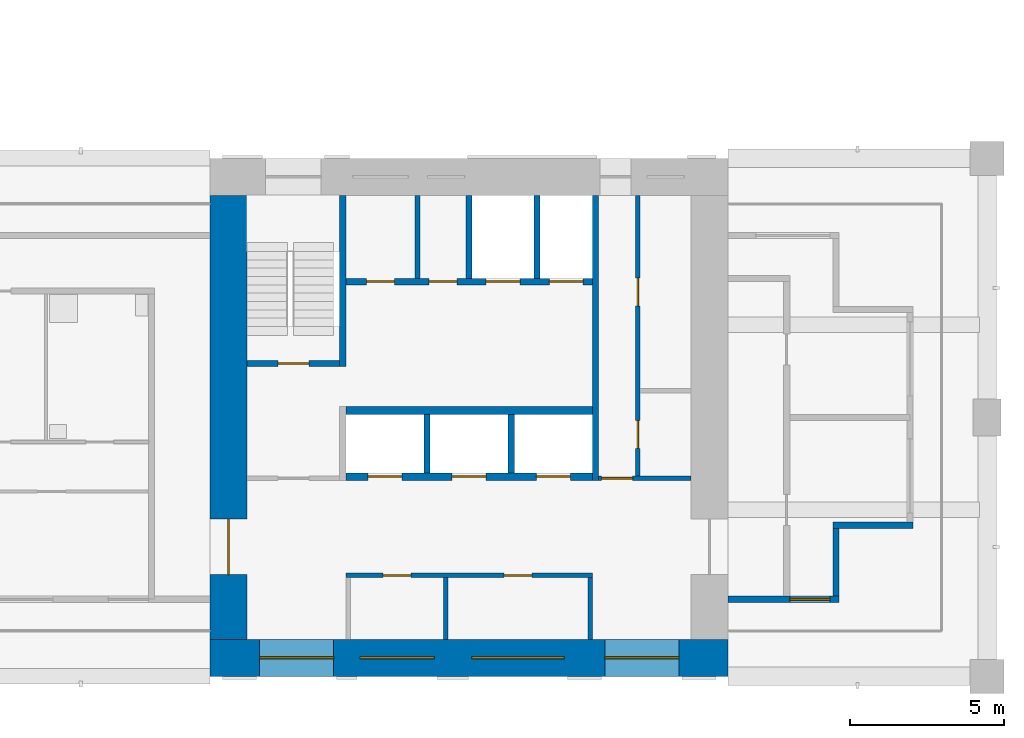
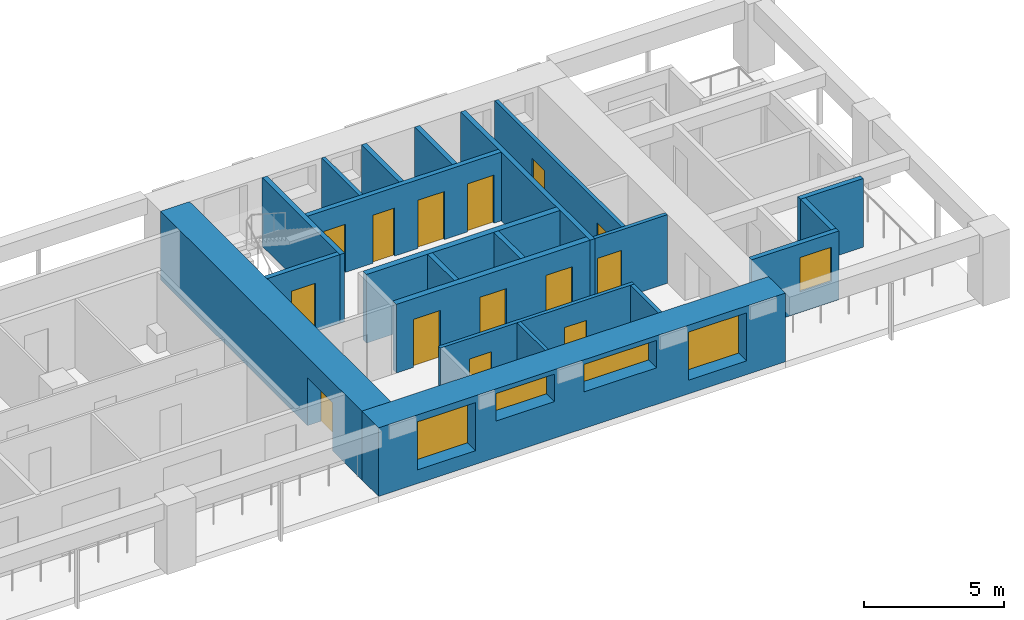
# One storey, part 4 of 11: 21 walls, 14 doors, 5 windows, 19 openings.
"""IFC4 building model written with IfcOpenShell, lengths in metres."""

from ifc_helpers import new_model, si_unit, direction, frame, frame_2d, origin, place, context, subcontext, project, spatial, rectangle, extrude, material, layer, layer_set, type_object, element, fill, save


model = new_model("IFC4")

# Units and contexts
model_context = context("Model", 3, precision=1e-05, world=origin(), true_north=direction((0.0, 1.0)))
body_context = subcontext(model_context, "Body", "Model", "MODEL_VIEW")
ifc_project = project(units=[si_unit("LENGTHUNIT", "METRE"), si_unit("AREAUNIT", "SQUARE_METRE"), si_unit("VOLUMEUNIT", "CUBIC_METRE"), si_unit("PLANEANGLEUNIT", "RADIAN"), si_unit("MASSUNIT", "GRAM", prefix="KILO")], contexts=[model_context])

# Site, building, storey
site_placement = place(None, origin())
site = spatial("IfcSite", under=ifc_project, at=site_placement, CompositionType="ELEMENT")
building_placement = place(site_placement, origin())
building = spatial("IfcBuilding", under=site, at=building_placement, Name="Vermilion Gate Residences", CompositionType="ELEMENT")
storey_placement = place(building_placement, frame((0.0, 0.0, 203.699951171875)))
storey = spatial("IfcBuildingStorey", under=building, at=storey_placement, Name="L53", CompositionType="ELEMENT", Elevation=203.699951171875)

# Walls
ifc_material_1 = material(Name="Masonry blockwork", Category="masonry")
ifc_layer_1 = layer(ifc_material_1, 0.14990234375)
ifc_layer_set_1 = layer_set([ifc_layer_1], Name="BLOCKWORK PARTITION 150 EI 120")
wall_type_1 = type_object("IfcWallType", Name="BLOCKWORK PARTITION 150 EI 120", PredefinedType="PARTITIONING", material=ifc_layer_set_1)
for number, where, z_axis, x_axis, name in (
    (1, (54.324951171875, 9.60009765625, 0.0), (0.0, 0.0, 1.0), (0.0, 1.0, 0.0), "Core room partition A53-RW-E"),
    (2, (49.64501953125, 9.60009765625, 0.0), (0.0, 0.0, 1.0), (0.0, 1.0, 0.0), "Core room partition A53-SR-P0"),
):
    element("IfcWall", number, at=place(storey_placement, frame(where, z_axis=z_axis, x_axis=x_axis)), inside=storey, type_object=wall_type_1, Name=name, PredefinedType="PARTITIONING", context=body_context, shape_type="SweptSolid", body=[
        extrude(rectangle(XDim=2.0, YDim=0.14990234375, at=frame_2d((1.0, 0.0))), origin(), (0.0, 0.0, 1.0), 3.0),
    ])

# Wall, openings, doors
wall_1_placement = place(storey_placement, frame((46.39990234375, 11.675048828125, 0.0), z_axis=(0.0, 0.0, 1.0), x_axis=(1.0, 0.0, 0.0)))
wall_1 = element("IfcWall", 3, at=wall_1_placement, inside=storey, type_object=wall_type_1, Name="Core room partition A53-LR-F", PredefinedType="PARTITIONING", context=body_context, shape_type="SweptSolid", body=[
    extrude(rectangle(XDim=8.0, YDim=0.14990234375, at=frame_2d((4.0, 0.0))), origin(), (0.0, 0.0, 1.0), 3.0),
])
opening_1_placement = place(wall_1_placement, frame((1.2099609375, 0.0, 0.0)))
opening_1 = element("IfcOpeningElement", 4, at=opening_1_placement, cuts=wall_1, Name="Opening DK53003", PredefinedType="OPENING", context=body_context, shape_type="SweptSolid", body=[
    extrude(rectangle(XDim=0.89990234375, YDim=2.10009765625, at=frame_2d((0.449951171875, 1.050048828125))), frame((0.0, 0.0849609375, 0.0), z_axis=(0.0, -1.0, 0.0), x_axis=(1.0, 0.0, 0.0)), (0.0, 0.0, 1.0), 0.169921875),
])
opening_2_placement = place(wall_1_placement, frame((5.135009765625, 0.0, 0.0)))
opening_2 = element("IfcOpeningElement", 5, at=opening_2_placement, cuts=wall_1, Name="Opening DK53004", PredefinedType="OPENING", context=body_context, shape_type="SweptSolid", body=[
    extrude(rectangle(XDim=0.89990234375, YDim=2.10009765625, at=frame_2d((0.449951171875, 1.050048828125))), frame((0.0, 0.0849609375, 0.0), z_axis=(0.0, -1.0, 0.0), x_axis=(1.0, 0.0, 0.0)), (0.0, 0.0, 1.0), 0.169921875),
])
ifc_material_2 = material(Name="Steel", Category="steel")
door_type_1 = type_object("IfcDoorType", Name="SERVICE ROOM DOOR FD60 900 X 2100", OperationType="SINGLE_SWING_LEFT", PredefinedType="DOOR", material=ifc_material_2)
door_1_placement = place(opening_1_placement, frame((0.89990234375, 0.0, 0.0), z_axis=(0.0, 0.0, 1.0), x_axis=(-1.0, 0.0, 0.0)))
door_1 = element("IfcDoor", 6, at=door_1_placement, inside=storey, type_object=door_type_1, Name="Refuse room A53", OperationType="SINGLE_SWING_RIGHT", OverallHeight=2.10009765625, OverallWidth=0.89990234375, PredefinedType="DOOR", context=body_context, shape_type="SweptSolid", body=[
    extrude(rectangle(XDim=0.89990234375, YDim=2.10009765625, at=frame_2d((0.449951171875, 1.050048828125))), frame((0.0, 0.02490234375, 0.0), z_axis=(0.0, -1.0, 0.0), x_axis=(1.0, 0.0, 0.0)), (0.0, 0.0, 1.0), 0.050048828125),
])
fill(opening_1, door_1)
door_2_placement = place(opening_2_placement, frame((0.89990234375, 0.0, 0.0), z_axis=(0.0, 0.0, 1.0), x_axis=(-1.0, 0.0, 0.0)))
door_2 = element("IfcDoor", 7, at=door_2_placement, inside=storey, type_object=door_type_1, Name="Parcel room A53", OperationType="SINGLE_SWING_RIGHT", OverallHeight=2.10009765625, OverallWidth=0.89990234375, PredefinedType="DOOR", context=body_context, shape_type="SweptSolid", body=[
    extrude(rectangle(XDim=0.89990234375, YDim=2.10009765625, at=frame_2d((0.449951171875, 1.050048828125))), frame((0.0, 0.02490234375, 0.0), z_axis=(0.0, -1.0, 0.0), x_axis=(1.0, 0.0, 0.0)), (0.0, 0.0, 1.0), 0.050048828125),
])
fill(opening_2, door_2)

# Wall
wall_2_placement = place(storey_placement, frame((48.72509765625, 21.300048828125, 0.0), z_axis=(0.0, 0.0, 1.0), x_axis=(0.0, 1.0, 0.0)))
element("IfcWall", 8, at=wall_2_placement, inside=storey, type_object=wall_type_1, Name="Core room partition A53-NR-P0", PredefinedType="PARTITIONING", context=body_context, shape_type="SweptSolid", body=[
    extrude(rectangle(XDim=2.699951171875, YDim=0.14990234375, at=frame_2d((1.35009765625, 0.0))), origin(), (0.0, 0.0, 1.0), 3.0),
])

# Wall, opening, door
wall_3_placement = place(storey_placement, frame((54.60009765625, 14.824951171875, 0.0), z_axis=(0.0, 0.0, 1.0), x_axis=(1.0, 0.0, 0.0)))
wall_3 = element("IfcWall", 9, at=wall_3_placement, inside=storey, type_object=wall_type_1, Name="Core room partition A53-ES-S", PredefinedType="PARTITIONING", context=body_context, shape_type="SweptSolid", body=[
    extrude(rectangle(XDim=3.0, YDim=0.14990234375, at=frame_2d((1.5, 0.0))), origin(), (0.0, 0.0, 1.0), 3.0),
])
opening_3_placement = place(wall_3_placement, frame((0.10009765625, 0.0, 0.0)))
opening_3 = element("IfcOpeningElement", 10, at=opening_3_placement, cuts=wall_3, Name="Opening DK53014", PredefinedType="OPENING", context=body_context, shape_type="SweptSolid", body=[
    extrude(rectangle(XDim=1.0, YDim=2.10009765625, at=frame_2d((0.5, 1.050048828125))), frame((0.0, 0.0849609375, 0.0), z_axis=(0.0, -1.0, 0.0), x_axis=(1.0, 0.0, 0.0)), (0.0, 0.0, 1.0), 0.169921875),
])
ifc_material_3 = material(Name="Steel", Category="steel")
door_type_2 = type_object("IfcDoorType", Name="FIRE DOOR FD60 1000 X 2100", OperationType="SINGLE_SWING_LEFT", PredefinedType="DOOR", material=ifc_material_3)
door_3_placement = place(opening_3_placement, frame((1.0, 0.0, 0.0), z_axis=(0.0, 0.0, 1.0), x_axis=(-1.0, 0.0, 0.0)))
door_3 = element("IfcDoor", 11, at=door_3_placement, inside=storey, type_object=door_type_2, Name="Service corridor door A53", OperationType="SINGLE_SWING_LEFT", OverallHeight=2.10009765625, OverallWidth=1.0, PredefinedType="DOOR", context=body_context, shape_type="SweptSolid", body=[
    extrude(rectangle(XDim=1.0, YDim=2.10009765625, at=frame_2d((0.5, 1.050048828125))), frame((0.0, 0.02490234375, 0.0), z_axis=(0.0, -1.0, 0.0), x_axis=(1.0, 0.0, 0.0)), (0.0, 0.0, 1.0), 0.050048828125),
])
fill(opening_3, door_3)

# Wall, openings, doors
wall_4_placement = place(storey_placement, frame((55.875, 14.89990234375, 0.0), z_axis=(0.0, 0.0, 1.0), x_axis=(0.0, 1.0, 0.0)))
wall_4 = element("IfcWall", 12, at=wall_4_placement, inside=storey, type_object=wall_type_1, Name="Core room partition A53-ES-W", PredefinedType="PARTITIONING", context=body_context, shape_type="SweptSolid", body=[
    extrude(rectangle(XDim=9.10009765625, YDim=0.14990234375, at=frame_2d((4.550048828125, 0.0))), origin(), (0.0, 0.0, 1.0), 3.0),
])
opening_4_placement = place(wall_4_placement, frame((0.892578125, 0.0, 0.0)))
opening_4 = element("IfcOpeningElement", 13, at=opening_4_placement, cuts=wall_4, Name="Opening DK53015", PredefinedType="OPENING", context=body_context, shape_type="SweptSolid", body=[
    extrude(rectangle(XDim=0.89990234375, YDim=2.10009765625, at=frame_2d((0.449951171875, 1.050048828125))), frame((0.0, 0.0849609375, 0.0), z_axis=(0.0, -1.0, 0.0), x_axis=(1.0, 0.0, 0.0)), (0.0, 0.0, 1.0), 0.169921875),
])
opening_5_placement = place(wall_4_placement, frame((5.517578125, 0.0, 0.0)))
opening_5 = element("IfcOpeningElement", 14, at=opening_5_placement, cuts=wall_4, Name="Opening DK53016", PredefinedType="OPENING", context=body_context, shape_type="SweptSolid", body=[
    extrude(rectangle(XDim=0.89990234375, YDim=2.10009765625, at=frame_2d((0.449951171875, 1.050048828125))), frame((0.0, 0.0849609375, 0.0), z_axis=(0.0, -1.0, 0.0), x_axis=(1.0, 0.0, 0.0)), (0.0, 0.0, 1.0), 0.169921875),
])
door_4_placement = place(opening_4_placement, frame((0.89990234375, 0.0, 0.0), z_axis=(0.0, 0.0, 1.0), x_axis=(-1.0, 0.0, 0.0)))
door_4 = element("IfcDoor", 15, at=door_4_placement, inside=storey, type_object=door_type_1, Name="Parcel room A53", OperationType="SINGLE_SWING_RIGHT", OverallHeight=2.10009765625, OverallWidth=0.89990234375, PredefinedType="DOOR", context=body_context, shape_type="SweptSolid", body=[
    extrude(rectangle(XDim=0.89990234375, YDim=2.10009765625, at=frame_2d((0.449951171875, 1.050048828125))), frame((0.0, 0.02490234375, 0.0), z_axis=(0.0, -1.0, 0.0), x_axis=(1.0, 0.0, 0.0)), (0.0, 0.0, 1.0), 0.050048828125),
])
fill(opening_4, door_4)
door_5_placement = place(opening_5_placement, frame((0.89990234375, 0.0, 0.0), z_axis=(0.0, 0.0, 1.0), x_axis=(-1.0, 0.0, 0.0)))
door_5 = element("IfcDoor", 16, at=door_5_placement, inside=storey, type_object=door_type_1, Name="Cleaner's store A53", OperationType="SINGLE_SWING_LEFT", OverallHeight=2.10009765625, OverallWidth=0.89990234375, PredefinedType="DOOR", context=body_context, shape_type="SweptSolid", body=[
    extrude(rectangle(XDim=0.89990234375, YDim=2.10009765625, at=frame_2d((0.449951171875, 1.050048828125))), frame((0.0, 0.02490234375, 0.0), z_axis=(0.0, -1.0, 0.0), x_axis=(1.0, 0.0, 0.0)), (0.0, 0.0, 1.0), 0.050048828125),
])
fill(opening_5, door_5)

# Wall, opening, window
ifc_material_4 = material(Name="Insulated steel stud wall with terracotta rainscreen", Category="masonry")
ifc_layer_2 = layer(ifc_material_4, 0.199951171875)
ifc_layer_set_2 = layer_set([ifc_layer_2], Name="EXTERNAL WALL 200 TERRACOTTA RAINSCREEN")
wall_type_2 = type_object("IfcWallType", Name="EXTERNAL WALL 200 TERRACOTTA RAINSCREEN", PredefinedType="SOLIDWALL", material=ifc_layer_set_2)
wall_5_placement = place(storey_placement, frame((58.800048828125, 10.89990234375, 0.0), z_axis=(0.0, 0.0, 1.0), x_axis=(1.0, 0.0, 0.0)))
wall_5 = element("IfcWall", 17, at=wall_5_placement, inside=storey, type_object=wall_type_2, Name="External wall", PredefinedType="SOLIDWALL", context=body_context, shape_type="SweptSolid", body=[
    extrude(rectangle(XDim=3.599853515625, YDim=0.199951171875, at=frame_2d((1.7998046875, 0.0))), origin(), (0.0, 0.0, 1.0), 3.0),
])
opening_6_placement = place(wall_5_placement, frame((2.0, 0.0, 0.89990234375)))
opening_6 = element("IfcOpeningElement", 18, at=opening_6_placement, cuts=wall_5, Name="Opening WE53015", PredefinedType="OPENING", context=body_context, shape_type="SweptSolid", body=[
    extrude(rectangle(XDim=1.300048828125, YDim=1.5, at=frame_2d((0.64990234375, 0.75))), frame((0.0, 0.10986328125, 0.0), z_axis=(0.0, -1.0, 0.0), x_axis=(1.0, 0.0, 0.0)), (0.0, 0.0, 1.0), 0.219970703125),
])
ifc_material_5 = material(Name="Aluminium and clear glass", Category="aluminium")
window_type_1 = type_object("IfcWindowType", Name="WINDOW 1300 X 1500", PartitioningType="SINGLE_PANEL", PredefinedType="WINDOW", material=ifc_material_5)
window_1_placement = place(opening_6_placement, origin())
window_1 = element("IfcWindow", 19, at=window_1_placement, inside=storey, type_object=window_type_1, Name="Window", OverallHeight=1.5, OverallWidth=1.300048828125, PartitioningType="SINGLE_PANEL", PredefinedType="WINDOW", context=body_context, shape_type="SweptSolid", body=[
    extrude(rectangle(XDim=1.300048828125, YDim=1.5, at=frame_2d((0.64990234375, 0.75))), frame((0.0, 0.030029296875, 0.0), z_axis=(0.0, -1.0, 0.0), x_axis=(1.0, 0.0, 0.0)), (0.0, 0.0, 1.0), 0.06005859375),
])
fill(opening_6, window_1)

# Walls
wall_6_placement = place(storey_placement, frame((62.300048828125, 11.0, 0.0), z_axis=(0.0, 0.0, 1.0), x_axis=(0.0, 1.0, 0.0)))
element("IfcWall", 20, at=wall_6_placement, inside=storey, type_object=wall_type_2, Name="External wall", PredefinedType="SOLIDWALL", context=body_context, shape_type="SweptSolid", body=[
    extrude(rectangle(XDim=2.199951171875, YDim=0.199951171875, at=frame_2d((1.10009765625, 0.0))), origin(), (0.0, 0.0, 1.0), 3.0),
])
wall_7_placement = place(storey_placement, frame((62.199951171875, 13.300048828125, 0.0), z_axis=(0.0, 0.0, 1.0), x_axis=(1.0, 0.0, 0.0)))
element("IfcWall", 21, at=wall_7_placement, inside=storey, type_object=wall_type_2, Name="External wall", PredefinedType="SOLIDWALL", context=body_context, shape_type="SweptSolid", body=[
    extrude(rectangle(XDim=2.60009765625, YDim=0.199951171875, at=frame_2d((1.300048828125, 0.0))), origin(), (0.0, 0.0, 1.0), 3.0),
])
ifc_material_6 = material(Name="Concrete C60", Category="concrete")
ifc_layer_3 = layer(ifc_material_6, 0.199951171875)
ifc_layer_set_3 = layer_set([ifc_layer_3], Name="RC CORE INTERNAL WALL 200 C60")
wall_type_3 = type_object("IfcWallType", Name="RC CORE INTERNAL WALL 200 C60", PredefinedType="SHEAR", material=ifc_layer_set_3)
for number, where, z_axis, x_axis, name in (
    (22, (49.033447265625, 15.0, 0.0), (0.0, 0.0, 1.0), (0.0, 1.0, 0.0), "Core internal wall A53-HR-D1"),
    (23, (51.7666015625, 15.0, 0.0), (0.0, 0.0, 1.0), (0.0, 1.0, 0.0), "Core internal wall A53-HR-D2"),
):
    element("IfcWall", number, at=place(storey_placement, frame(where, z_axis=z_axis, x_axis=x_axis)), inside=storey, type_object=wall_type_3, Name=name, PredefinedType="SHEAR", context=body_context, shape_type="SweptSolid", body=[
        extrude(rectangle(XDim=1.89990234375, YDim=0.199951171875, at=frame_2d((0.949951171875, 0.0))), origin(), (0.0, 0.0, 1.0), 3.0),
    ])
for number, where, z_axis, x_axis, name in (
    (24, (50.39990234375, 21.300048828125, 0.0), (0.0, 0.0, 1.0), (0.0, 1.0, 0.0), "Core internal wall A53-FF-D0"),
    (25, (52.60009765625, 21.300048828125, 0.0), (0.0, 0.0, 1.0), (0.0, 1.0, 0.0), "Core internal wall A53-FF-D1"),
):
    element("IfcWall", number, at=place(storey_placement, frame(where, z_axis=z_axis, x_axis=x_axis)), inside=storey, type_object=wall_type_3, Name=name, PredefinedType="SHEAR", context=body_context, shape_type="SweptSolid", body=[
        extrude(rectangle(XDim=2.699951171875, YDim=0.199951171875, at=frame_2d((1.35009765625, 0.0))), origin(), (0.0, 0.0, 1.0), 3.0),
    ])

# Wall, openings, doors
wall_8_placement = place(storey_placement, frame((46.39990234375, 21.199951171875, 0.0), z_axis=(0.0, 0.0, 1.0), x_axis=(1.0, 0.0, 0.0)))
wall_8 = element("IfcWall", 26, at=wall_8_placement, inside=storey, type_object=wall_type_3, Name="Core internal wall A53-FF-F", PredefinedType="SHEAR", context=body_context, shape_type="SweptSolid", body=[
    extrude(rectangle(XDim=8.0, YDim=0.199951171875, at=frame_2d((4.0, 0.0))), origin(), (0.0, 0.0, 1.0), 3.0),
])
opening_7_placement = place(wall_8_placement, frame((0.675048828125, 0.0, 0.0)))
opening_7 = element("IfcOpeningElement", 27, at=opening_7_placement, cuts=wall_8, Name="Opening DK53008", PredefinedType="OPENING", context=body_context, shape_type="SweptSolid", body=[
    extrude(rectangle(XDim=0.89990234375, YDim=2.10009765625, at=frame_2d((0.449951171875, 1.050048828125))), frame((0.0, 0.10986328125, 0.0), z_axis=(0.0, -1.0, 0.0), x_axis=(1.0, 0.0, 0.0)), (0.0, 0.0, 1.0), 0.219970703125),
])
opening_8_placement = place(wall_8_placement, frame((2.699951171875, 0.0, 0.0)))
opening_8 = element("IfcOpeningElement", 28, at=opening_8_placement, cuts=wall_8, Name="Opening DK53009", PredefinedType="OPENING", context=body_context, shape_type="SweptSolid", body=[
    extrude(rectangle(XDim=0.89990234375, YDim=2.10009765625, at=frame_2d((0.449951171875, 1.050048828125))), frame((0.0, 0.10986328125, 0.0), z_axis=(0.0, -1.0, 0.0), x_axis=(1.0, 0.0, 0.0)), (0.0, 0.0, 1.0), 0.219970703125),
])
opening_9_placement = place(wall_8_placement, frame((4.550048828125, 0.0, 0.0)))
opening_9 = element("IfcOpeningElement", 29, at=opening_9_placement, cuts=wall_8, Name="Opening LD", PredefinedType="OPENING", context=body_context, shape_type="SweptSolid", body=[
    extrude(rectangle(XDim=1.10009765625, YDim=2.10009765625, at=frame_2d((0.550048828125, 1.050048828125))), frame((0.0, 0.10986328125, 0.0), z_axis=(0.0, -1.0, 0.0), x_axis=(1.0, 0.0, 0.0)), (0.0, 0.0, 1.0), 0.219970703125),
])
opening_10_placement = place(wall_8_placement, frame((6.60009765625, 0.0, 0.0)))
opening_10 = element("IfcOpeningElement", 30, at=opening_10_placement, cuts=wall_8, Name="Opening LD", PredefinedType="OPENING", context=body_context, shape_type="SweptSolid", body=[
    extrude(rectangle(XDim=1.10009765625, YDim=2.10009765625, at=frame_2d((0.550048828125, 1.050048828125))), frame((0.0, 0.10986328125, 0.0), z_axis=(0.0, -1.0, 0.0), x_axis=(1.0, 0.0, 0.0)), (0.0, 0.0, 1.0), 0.219970703125),
])
ifc_material_7 = material(Name="Stainless steel", Category="steel")
door_type_3 = type_object("IfcDoorType", Name="LIFT LANDING DOOR E60 1100 X 2100", OperationType="DOUBLE_DOOR_SLIDING", PredefinedType="DOOR", material=ifc_material_7)
door_6_placement = place(opening_9_placement, origin())
door_6 = element("IfcDoor", 31, at=door_6_placement, inside=storey, type_object=door_type_3, Name="Lift landing door LFA1", OperationType="DOUBLE_DOOR_SLIDING", OverallHeight=2.10009765625, OverallWidth=1.10009765625, PredefinedType="DOOR", context=body_context, shape_type="SweptSolid", body=[
    extrude(rectangle(XDim=1.10009765625, YDim=2.10009765625, at=frame_2d((0.550048828125, 1.050048828125))), frame((0.0, 0.02490234375, 0.0), z_axis=(0.0, -1.0, 0.0), x_axis=(1.0, 0.0, 0.0)), (0.0, 0.0, 1.0), 0.050048828125),
])
fill(opening_9, door_6)
door_7_placement = place(opening_10_placement, origin())
door_7 = element("IfcDoor", 32, at=door_7_placement, inside=storey, type_object=door_type_3, Name="Lift landing door LCA1", OperationType="DOUBLE_DOOR_SLIDING", OverallHeight=2.10009765625, OverallWidth=1.10009765625, PredefinedType="DOOR", context=body_context, shape_type="SweptSolid", body=[
    extrude(rectangle(XDim=1.10009765625, YDim=2.10009765625, at=frame_2d((0.550048828125, 1.050048828125))), frame((0.0, 0.02490234375, 0.0), z_axis=(0.0, -1.0, 0.0), x_axis=(1.0, 0.0, 0.0)), (0.0, 0.0, 1.0), 0.050048828125),
])
fill(opening_10, door_7)
door_8_placement = place(opening_7_placement, origin())
door_8 = element("IfcDoor", 33, at=door_8_placement, inside=storey, type_object=door_type_1, Name="Communications riser A53", OperationType="SINGLE_SWING_LEFT", OverallHeight=2.10009765625, OverallWidth=0.89990234375, PredefinedType="DOOR", context=body_context, shape_type="SweptSolid", body=[
    extrude(rectangle(XDim=0.89990234375, YDim=2.10009765625, at=frame_2d((0.449951171875, 1.050048828125))), frame((0.0, 0.02490234375, 0.0), z_axis=(0.0, -1.0, 0.0), x_axis=(1.0, 0.0, 0.0)), (0.0, 0.0, 1.0), 0.050048828125),
])
fill(opening_7, door_8)
door_9_placement = place(opening_8_placement, origin())
door_9 = element("IfcDoor", 34, at=door_9_placement, inside=storey, type_object=door_type_1, Name="Refuse room A53", OperationType="SINGLE_SWING_LEFT", OverallHeight=2.10009765625, OverallWidth=0.89990234375, PredefinedType="DOOR", context=body_context, shape_type="SweptSolid", body=[
    extrude(rectangle(XDim=0.89990234375, YDim=2.10009765625, at=frame_2d((0.449951171875, 1.050048828125))), frame((0.0, 0.02490234375, 0.0), z_axis=(0.0, -1.0, 0.0), x_axis=(1.0, 0.0, 0.0)), (0.0, 0.0, 1.0), 0.050048828125),
])
fill(opening_8, door_9)

# Wall
wall_9_placement = place(storey_placement, frame((46.300048828125, 18.449951171875, 0.0), z_axis=(0.0, 0.0, 1.0), x_axis=(0.0, 1.0, 0.0)))
element("IfcWall", 35, at=wall_9_placement, inside=storey, type_object=wall_type_3, Name="Core internal wall A53-WDIV2", PredefinedType="SHEAR", context=body_context, shape_type="SweptSolid", body=[
    extrude(rectangle(XDim=5.550048828125, YDim=0.199951171875, at=frame_2d((2.77490234375, 0.0))), origin(), (0.0, 0.0, 1.0), 3.0),
])

# Wall, opening, door
wall_10_placement = place(storey_placement, frame((43.199951171875, 18.550048828125, 0.0), z_axis=(0.0, 0.0, 1.0), x_axis=(1.0, 0.0, 0.0)))
wall_10 = element("IfcWall", 36, at=wall_10_placement, inside=storey, type_object=wall_type_3, Name="Core internal wall A53-STW-S", PredefinedType="SHEAR", context=body_context, shape_type="SweptSolid", body=[
    extrude(rectangle(XDim=3.0, YDim=0.199951171875, at=frame_2d((1.5, 0.0))), origin(), (0.0, 0.0, 1.0), 3.0),
])
opening_11_placement = place(wall_10_placement, frame((1.0, 0.0, 0.0)))
opening_11 = element("IfcOpeningElement", 37, at=opening_11_placement, cuts=wall_10, Name="Opening DK53013", PredefinedType="OPENING", context=body_context, shape_type="SweptSolid", body=[
    extrude(rectangle(XDim=1.0, YDim=2.10009765625, at=frame_2d((0.5, 1.050048828125))), frame((0.0, 0.10986328125, 0.0), z_axis=(0.0, -1.0, 0.0), x_axis=(1.0, 0.0, 0.0)), (0.0, 0.0, 1.0), 0.219970703125),
])
door_10_placement = place(opening_11_placement, origin())
door_10 = element("IfcDoor", 38, at=door_10_placement, inside=storey, type_object=door_type_2, Name="Stair door A53", OperationType="SINGLE_SWING_LEFT", OverallHeight=2.10009765625, OverallWidth=1.0, PredefinedType="DOOR", context=body_context, shape_type="SweptSolid", body=[
    extrude(rectangle(XDim=1.0, YDim=2.10009765625, at=frame_2d((0.5, 1.050048828125))), frame((0.0, 0.02490234375, 0.0), z_axis=(0.0, -1.0, 0.0), x_axis=(1.0, 0.0, 0.0)), (0.0, 0.0, 1.0), 0.050048828125),
])
fill(opening_11, door_10)

# Wall
wall_11_placement = place(storey_placement, frame((54.5, 14.75, 0.0), z_axis=(0.0, 0.0, 1.0), x_axis=(0.0, 1.0, 0.0)))
element("IfcWall", 39, at=wall_11_placement, inside=storey, type_object=wall_type_3, Name="Core internal wall A53-EDIV", PredefinedType="SHEAR", context=body_context, shape_type="SweptSolid", body=[
    extrude(rectangle(XDim=9.25, YDim=0.199951171875, at=frame_2d((4.625, 0.0))), origin(), (0.0, 0.0, 1.0), 3.0),
])

# Wall, opening, door
ifc_material_8 = material(Name="Concrete C60", Category="concrete")
ifc_layer_4 = layer(ifc_material_8, 1.199951171875)
ifc_layer_set_4 = layer_set([ifc_layer_4], Name="RC CORE WALL 1200 C60")
wall_type_4 = type_object("IfcWallType", Name="RC CORE WALL 1200 C60", PredefinedType="SHEAR", material=ifc_layer_set_4)
wall_12_placement = place(storey_placement, frame((42.60009765625, 9.60009765625, 0.0), z_axis=(0.0, 0.0, 1.0), x_axis=(0.0, 1.0, 0.0)))
wall_12 = element("IfcWall", 40, at=wall_12_placement, inside=storey, type_object=wall_type_4, Name="Core wall A53-OUT-FR", PredefinedType="SHEAR", context=body_context, shape_type="SweptSolid", body=[
    extrude(rectangle(XDim=14.39990234375, YDim=1.199951171875, at=frame_2d((7.199951171875, 0.0))), origin(), (0.0, 0.0, 1.0), 3.0),
])
opening_12_placement = place(wall_12_placement, frame((2.10009765625, 0.0, 0.0)))
opening_12 = element("IfcOpeningElement", 41, at=opening_12_placement, cuts=wall_12, Name="Opening DK53001", PredefinedType="OPENING", context=body_context, shape_type="SweptSolid", body=[
    extrude(rectangle(XDim=1.800048828125, YDim=2.10009765625, at=frame_2d((0.89990234375, 1.050048828125))), frame((0.0, 0.60986328125, 0.0), z_axis=(0.0, -1.0, 0.0), x_axis=(1.0, 0.0, 0.0)), (0.0, 0.0, 1.0), 1.219970703125),
])
ifc_material_9 = material(Name="Steel", Category="steel")
door_type_4 = type_object("IfcDoorType", Name="CORE LOBBY DOOR FD60 1800 X 2100", OperationType="DOUBLE_DOOR_SINGLE_SWING", PredefinedType="DOOR", material=ifc_material_9)
door_11_placement = place(opening_12_placement, frame((1.800048828125, 0.0, 0.0), z_axis=(0.0, 0.0, 1.0), x_axis=(-1.0, 0.0, 0.0)))
door_11 = element("IfcDoor", 42, at=door_11_placement, inside=storey, type_object=door_type_4, Name="Core lobby door A53", OperationType="DOUBLE_DOOR_SINGLE_SWING", OverallHeight=2.10009765625, OverallWidth=1.800048828125, PredefinedType="DOOR", context=body_context, shape_type="SweptSolid", body=[
    extrude(rectangle(XDim=1.800048828125, YDim=2.10009765625, at=frame_2d((0.89990234375, 1.050048828125))), frame((0.0, 0.02490234375, 0.0), z_axis=(0.0, -1.0, 0.0), x_axis=(1.0, 0.0, 0.0)), (0.0, 0.0, 1.0), 0.050048828125),
])
fill(opening_12, door_11)

# Wall, openings, windows
ifc_material_10 = material(Name="Concrete C60 red-oxide pigmented", Category="concrete")
ifc_layer_5 = layer(ifc_material_10, 1.199951171875)
ifc_layer_set_5 = layer_set([ifc_layer_5], Name="RC CORE WALL 1200 C60 RED OXIDE")
wall_type_5 = type_object("IfcWallType", Name="RC CORE WALL 1200 C60 RED OXIDE", PredefinedType="SHEAR", material=ifc_layer_set_5)
wall_13_placement = place(storey_placement, frame((42.0, 9.0, 0.0), z_axis=(0.0, 0.0, 1.0), x_axis=(1.0, 0.0, 0.0)))
wall_13 = element("IfcWall", 43, at=wall_13_placement, inside=storey, type_object=wall_type_5, Name="Core wall A53-OUT-B0", PredefinedType="SHEAR", context=body_context, shape_type="SweptSolid", body=[
    extrude(rectangle(XDim=16.800048828125, YDim=1.199951171875, at=frame_2d((8.39990234375, 0.0))), origin(), (0.0, 0.0, 1.0), 3.0),
])
opening_13_placement = place(wall_13_placement, frame((1.60009765625, 0.0, 0.60009765625)))
opening_13 = element("IfcOpeningElement", 44, at=opening_13_placement, cuts=wall_13, Name="Opening WKA5301", PredefinedType="OPENING", context=body_context, shape_type="SweptSolid", body=[
    extrude(rectangle(XDim=2.39990234375, YDim=2.10009765625, at=frame_2d((1.199951171875, 1.050048828125))), frame((0.0, 0.60986328125, 0.0), z_axis=(0.0, -1.0, 0.0), x_axis=(1.0, 0.0, 0.0)), (0.0, 0.0, 1.0), 1.219970703125),
])
opening_14_placement = place(wall_13_placement, frame((4.860107421875, 0.0, 1.60009765625)))
opening_14 = element("IfcOpeningElement", 45, at=opening_14_placement, cuts=wall_13, Name="Opening WKA5302", PredefinedType="OPENING", context=body_context, shape_type="SweptSolid", body=[
    extrude(rectangle(XDim=2.39990234375, YDim=1.199951171875, at=frame_2d((1.199951171875, 0.60009765625))), frame((0.0, 0.60986328125, 0.0), z_axis=(0.0, -1.0, 0.0), x_axis=(1.0, 0.0, 0.0)), (0.0, 0.0, 1.0), 1.219970703125),
])
opening_15_placement = place(wall_13_placement, frame((8.485107421875, 0.0, 1.60009765625)))
opening_15 = element("IfcOpeningElement", 46, at=opening_15_placement, cuts=wall_13, Name="Opening WKA5303", PredefinedType="OPENING", context=body_context, shape_type="SweptSolid", body=[
    extrude(rectangle(XDim=3.0, YDim=1.199951171875, at=frame_2d((1.5, 0.60009765625))), frame((0.0, 0.60986328125, 0.0), z_axis=(0.0, -1.0, 0.0), x_axis=(1.0, 0.0, 0.0)), (0.0, 0.0, 1.0), 1.219970703125),
])
opening_16_placement = place(wall_13_placement, frame((12.800048828125, 0.0, 0.60009765625)))
opening_16 = element("IfcOpeningElement", 47, at=opening_16_placement, cuts=wall_13, Name="Opening WKA5304", PredefinedType="OPENING", context=body_context, shape_type="SweptSolid", body=[
    extrude(rectangle(XDim=2.39990234375, YDim=2.10009765625, at=frame_2d((1.199951171875, 1.050048828125))), frame((0.0, 0.60986328125, 0.0), z_axis=(0.0, -1.0, 0.0), x_axis=(1.0, 0.0, 0.0)), (0.0, 0.0, 1.0), 1.219970703125),
])
ifc_material_11 = material(Name="Aluminium and clear glass", Category="aluminium")
window_type_2 = type_object("IfcWindowType", Name="CORE LOBBY WINDOW 2400 X 2100", PartitioningType="SINGLE_PANEL", PredefinedType="WINDOW", material=ifc_material_11)
window_2_placement = place(opening_13_placement, origin())
window_2 = element("IfcWindow", 48, at=window_2_placement, inside=storey, type_object=window_type_2, Name="Core lobby window", OverallHeight=2.10009765625, OverallWidth=2.39990234375, PartitioningType="SINGLE_PANEL", PredefinedType="WINDOW", context=body_context, shape_type="SweptSolid", body=[
    extrude(rectangle(XDim=2.39990234375, YDim=2.10009765625, at=frame_2d((1.199951171875, 1.050048828125))), frame((0.0, 0.030029296875, 0.0), z_axis=(0.0, -1.0, 0.0), x_axis=(1.0, 0.0, 0.0)), (0.0, 0.0, 1.0), 0.06005859375),
])
fill(opening_13, window_2)
window_3_placement = place(opening_16_placement, origin())
window_3 = element("IfcWindow", 49, at=window_3_placement, inside=storey, type_object=window_type_2, Name="Core lobby window", OverallHeight=2.10009765625, OverallWidth=2.39990234375, PartitioningType="SINGLE_PANEL", PredefinedType="WINDOW", context=body_context, shape_type="SweptSolid", body=[
    extrude(rectangle(XDim=2.39990234375, YDim=2.10009765625, at=frame_2d((1.199951171875, 1.050048828125))), frame((0.0, 0.030029296875, 0.0), z_axis=(0.0, -1.0, 0.0), x_axis=(1.0, 0.0, 0.0)), (0.0, 0.0, 1.0), 0.06005859375),
])
fill(opening_16, window_3)
ifc_material_12 = material(Name="Aluminium frame with louvre blades", Category="aluminium")
window_type_3 = type_object("IfcWindowType", Name="CORE LOUVRE 2400 X 1200", PartitioningType="SINGLE_PANEL", PredefinedType="WINDOW", material=ifc_material_12)
window_4_placement = place(opening_14_placement, origin())
window_4 = element("IfcWindow", 50, at=window_4_placement, inside=storey, type_object=window_type_3, Name="Core louvre", OverallHeight=1.199951171875, OverallWidth=2.39990234375, PartitioningType="SINGLE_PANEL", PredefinedType="WINDOW", context=body_context, shape_type="SweptSolid", body=[
    extrude(rectangle(XDim=2.39990234375, YDim=1.199951171875, at=frame_2d((1.199951171875, 0.60009765625))), frame((0.0, 0.030029296875, 0.0), z_axis=(0.0, -1.0, 0.0), x_axis=(1.0, 0.0, 0.0)), (0.0, 0.0, 1.0), 0.06005859375),
])
fill(opening_14, window_4)
ifc_material_13 = material(Name="Aluminium frame with louvre blades", Category="aluminium")
window_type_4 = type_object("IfcWindowType", Name="CORE LOUVRE 3000 X 1200", PartitioningType="SINGLE_PANEL", PredefinedType="WINDOW", material=ifc_material_13)
window_5_placement = place(opening_15_placement, origin())
window_5 = element("IfcWindow", 51, at=window_5_placement, inside=storey, type_object=window_type_4, Name="Core louvre", OverallHeight=1.199951171875, OverallWidth=3.0, PartitioningType="SINGLE_PANEL", PredefinedType="WINDOW", context=body_context, shape_type="SweptSolid", body=[
    extrude(rectangle(XDim=3.0, YDim=1.199951171875, at=frame_2d((1.5, 0.60009765625))), frame((0.0, 0.030029296875, 0.0), z_axis=(0.0, -1.0, 0.0), x_axis=(1.0, 0.0, 0.0)), (0.0, 0.0, 1.0), 0.06005859375),
])
fill(opening_15, window_5)

# Wall, openings, doors
ifc_material_14 = material(Name="Concrete C60", Category="concrete")
ifc_layer_6 = layer(ifc_material_14, 0.25)
ifc_layer_set_6 = layer_set([ifc_layer_6], Name="RC LIFT SHAFT WALL 250 C60")
wall_type_6 = type_object("IfcWallType", Name="RC LIFT SHAFT WALL 250 C60", PredefinedType="SHEAR", material=ifc_layer_set_6)
wall_14_placement = place(storey_placement, frame((46.39990234375, 14.875, 0.0), z_axis=(0.0, 0.0, 1.0), x_axis=(1.0, 0.0, 0.0)))
wall_14 = element("IfcWall", 52, at=wall_14_placement, inside=storey, type_object=wall_type_6, Name="Lift shaft wall A53-HR-F", PredefinedType="SHEAR", context=body_context, shape_type="SweptSolid", body=[
    extrude(rectangle(XDim=8.0, YDim=0.25, at=frame_2d((4.0, 0.0))), origin(), (0.0, 0.0, 1.0), 3.0),
])
opening_17_placement = place(wall_14_placement, frame((0.716552734375, 0.0, 0.0)))
opening_17 = element("IfcOpeningElement", 53, at=opening_17_placement, cuts=wall_14, Name="Opening LD", PredefinedType="OPENING", context=body_context, shape_type="SweptSolid", body=[
    extrude(rectangle(XDim=1.10009765625, YDim=2.10009765625, at=frame_2d((0.550048828125, 1.050048828125))), frame((0.0, 0.135009765625, 0.0), z_axis=(0.0, -1.0, 0.0), x_axis=(1.0, 0.0, 0.0)), (0.0, 0.0, 1.0), 0.27001953125),
])
opening_18_placement = place(wall_14_placement, frame((3.449951171875, 0.0, 0.0)))
opening_18 = element("IfcOpeningElement", 54, at=opening_18_placement, cuts=wall_14, Name="Opening LD", PredefinedType="OPENING", context=body_context, shape_type="SweptSolid", body=[
    extrude(rectangle(XDim=1.10009765625, YDim=2.10009765625, at=frame_2d((0.550048828125, 1.050048828125))), frame((0.0, 0.135009765625, 0.0), z_axis=(0.0, -1.0, 0.0), x_axis=(1.0, 0.0, 0.0)), (0.0, 0.0, 1.0), 0.27001953125),
])
opening_19_placement = place(wall_14_placement, frame((6.183349609375, 0.0, 0.0)))
opening_19 = element("IfcOpeningElement", 55, at=opening_19_placement, cuts=wall_14, Name="Opening LD", PredefinedType="OPENING", context=body_context, shape_type="SweptSolid", body=[
    extrude(rectangle(XDim=1.10009765625, YDim=2.10009765625, at=frame_2d((0.550048828125, 1.050048828125))), frame((0.0, 0.135009765625, 0.0), z_axis=(0.0, -1.0, 0.0), x_axis=(1.0, 0.0, 0.0)), (0.0, 0.0, 1.0), 0.27001953125),
])
door_12_placement = place(opening_17_placement, origin())
door_12 = element("IfcDoor", 56, at=door_12_placement, inside=storey, type_object=door_type_3, Name="Lift landing door HRA1", OperationType="DOUBLE_DOOR_SLIDING", OverallHeight=2.10009765625, OverallWidth=1.10009765625, PredefinedType="DOOR", context=body_context, shape_type="SweptSolid", body=[
    extrude(rectangle(XDim=1.10009765625, YDim=2.10009765625, at=frame_2d((0.550048828125, 1.050048828125))), frame((0.0, 0.02490234375, 0.0), z_axis=(0.0, -1.0, 0.0), x_axis=(1.0, 0.0, 0.0)), (0.0, 0.0, 1.0), 0.050048828125),
])
fill(opening_17, door_12)
door_13_placement = place(opening_18_placement, origin())
door_13 = element("IfcDoor", 57, at=door_13_placement, inside=storey, type_object=door_type_3, Name="Lift landing door HRA2", OperationType="DOUBLE_DOOR_SLIDING", OverallHeight=2.10009765625, OverallWidth=1.10009765625, PredefinedType="DOOR", context=body_context, shape_type="SweptSolid", body=[
    extrude(rectangle(XDim=1.10009765625, YDim=2.10009765625, at=frame_2d((0.550048828125, 1.050048828125))), frame((0.0, 0.02490234375, 0.0), z_axis=(0.0, -1.0, 0.0), x_axis=(1.0, 0.0, 0.0)), (0.0, 0.0, 1.0), 0.050048828125),
])
fill(opening_18, door_13)
door_14_placement = place(opening_19_placement, origin())
door_14 = element("IfcDoor", 58, at=door_14_placement, inside=storey, type_object=door_type_3, Name="Lift landing door HRA3", OperationType="DOUBLE_DOOR_SLIDING", OverallHeight=2.10009765625, OverallWidth=1.10009765625, PredefinedType="DOOR", context=body_context, shape_type="SweptSolid", body=[
    extrude(rectangle(XDim=1.10009765625, YDim=2.10009765625, at=frame_2d((0.550048828125, 1.050048828125))), frame((0.0, 0.02490234375, 0.0), z_axis=(0.0, -1.0, 0.0), x_axis=(1.0, 0.0, 0.0)), (0.0, 0.0, 1.0), 0.050048828125),
])
fill(opening_19, door_14)

# Wall
wall_15_placement = place(storey_placement, frame((46.39990234375, 17.02490234375, 0.0), z_axis=(0.0, 0.0, 1.0), x_axis=(1.0, 0.0, 0.0)))
element("IfcWall", 59, at=wall_15_placement, inside=storey, type_object=wall_type_6, Name="Lift shaft wall A53-HR-B", PredefinedType="SHEAR", context=body_context, shape_type="SweptSolid", body=[
    extrude(rectangle(XDim=8.0, YDim=0.25, at=frame_2d((4.0, 0.0))), origin(), (0.0, 0.0, 1.0), 3.0),
])

save(model, "model.ifc")
